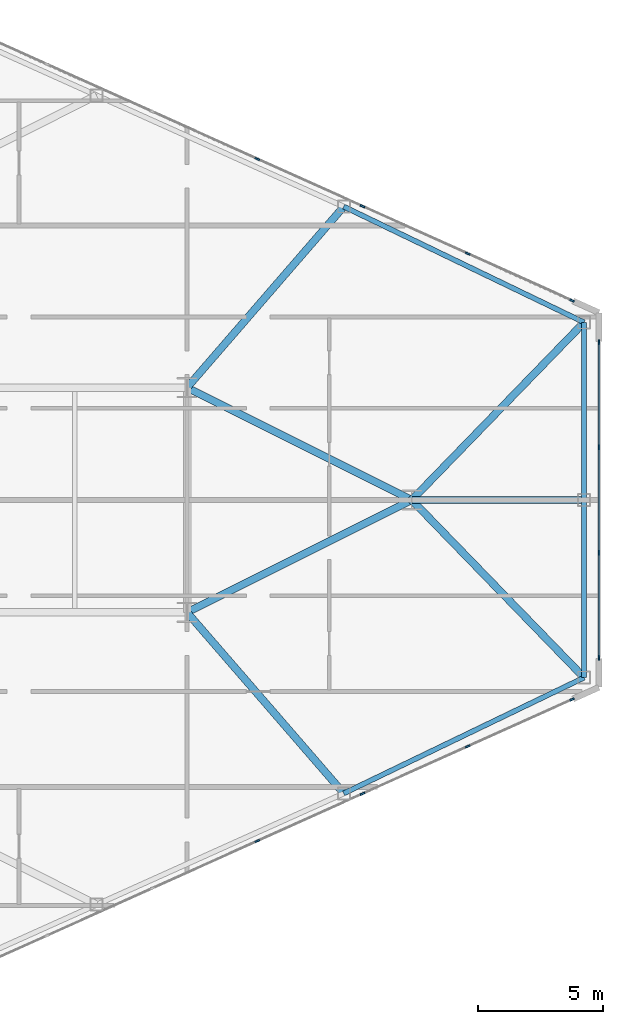
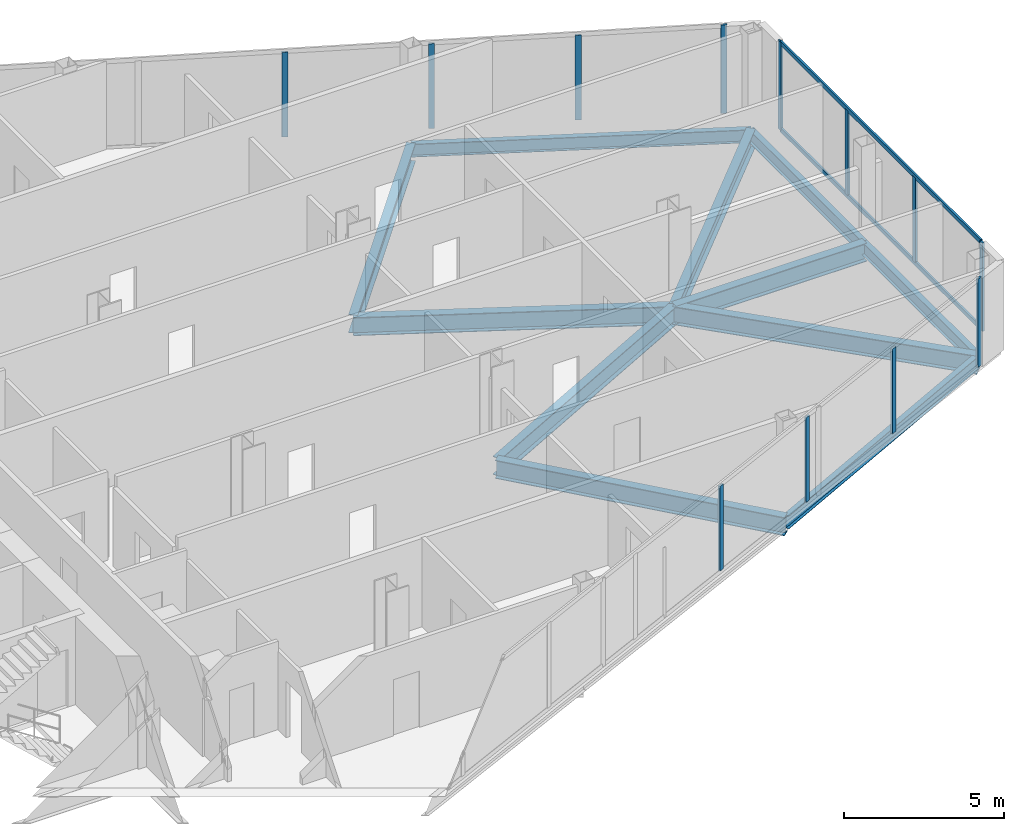
# One storey, part 16 of 27: 14 members, 11 beams, 3 elements without a shape of their own.
"""IFC4 building model written with IfcOpenShell, lengths in metres."""

from ifc_helpers import new_model, si_unit, direction, frame, origin, origin_2d, place, context, subcontext, project, spatial, rectangle, i_section, extrude, source, transform, mapped, material, layer, layer_set, material_profile, profile_set, type_object, type_shapes, element, aggregate, save


model = new_model("IFC4")

# Units and contexts
model_context = context("Model", 3, precision=1e-05, world=origin(), true_north=direction((0.0, 1.0)))
body_context = subcontext(model_context, "Body", "Model", "MODEL_VIEW")
ifc_project = project(units=[si_unit("LENGTHUNIT", "METRE"), si_unit("AREAUNIT", "SQUARE_METRE"), si_unit("VOLUMEUNIT", "CUBIC_METRE"), si_unit("PLANEANGLEUNIT", "RADIAN"), si_unit("MASSUNIT", "GRAM", prefix="KILO")], contexts=[model_context])

# Site, building, storey
site_placement = place(None, origin())
site = spatial("IfcSite", under=ifc_project, at=site_placement, CompositionType="ELEMENT")
building_placement = place(site_placement, origin())
building = spatial("IfcBuilding", under=site, at=building_placement, Name="Seokmaru Belvedere", CompositionType="ELEMENT")
storey_placement = place(building_placement, frame((0.0, 0.0, 80.10009765625)))
storey = spatial("IfcBuildingStorey", under=building, at=storey_placement, Name="L21", CompositionType="ELEMENT", Elevation=80.10009765625)

# Beams
ifc_material_1 = material(Name="Steel SM355 (355 MPa)", Category="steel")
ifc_material_profile_1 = material_profile(ifc_material_1, i_section(OverallWidth=0.300048828125, OverallDepth=0.699951171875, WebThickness=0.012939453125, FlangeThickness=0.02392578125, at=origin_2d()), Name="H-700x300x13x24")
ifc_profile_set_1 = profile_set([ifc_material_profile_1], Name="Steel SM355 (355 MPa)")
beam_type_1 = type_object("IfcBeamType", Name="Primary Floor Girder H-700", PredefinedType="BEAM", material=ifc_profile_set_1)
shared_shape_1 = source(origin(), body_context, "Body", "SweptSolid", [
    extrude(i_section(OverallWidth=0.300048828125, OverallDepth=0.699951171875, WebThickness=0.012939453125, FlangeThickness=0.02392578125, at=origin_2d()), origin(), (0.0, 0.0, 1.0), 10.062255859375),
])
for number, where, z_axis, x_axis, name in (
    (1, (54.5, -4.5, -0.570068359375), (0.894427191, 0.4472135955, 0.0), (-0.4472135955, 0.894427191, 0.0), "L21 E Apex Converging Girder 1"),
    (2, (54.5, 4.5, -0.570068359375), (0.894427191, -0.4472135955, 0.0), (0.4472135955, 0.894427191, 0.0), "L21 E Apex Converging Girder 2"),
):
    element("IfcBeam", number, at=place(storey_placement, frame(where, z_axis=z_axis, x_axis=x_axis)), inside=storey, type_object=beam_type_1, Name=name, PredefinedType="BEAM", context=body_context, shape_type="MappedRepresentation", body=[
        mapped(shared_shape_1, transform((0.0, 0.0, 0.0), scale=1.0)),
    ])
ifc_material_profile_2 = material_profile(ifc_material_1, i_section(OverallWidth=0.199951171875, OverallDepth=0.5, WebThickness=0.010009765625, FlangeThickness=0.01611328125, at=origin_2d()), Name="H-500x200x10x16")
ifc_profile_set_2 = profile_set([ifc_material_profile_2], Name="Steel SM355 (355 MPa)")
beam_type_2 = type_object("IfcBeamType", Name="Perimeter Spandrel Beam H-500", PredefinedType="SPANDREL", material=ifc_profile_set_2)
shared_shape_2 = source(origin(), body_context, "Body", "SweptSolid", [
    extrude(i_section(OverallWidth=0.199951171875, OverallDepth=0.5, WebThickness=0.010009765625, FlangeThickness=0.01611328125, at=origin_2d()), origin(), (0.0, 0.0, 1.0), 10.681396484375),
])
for number, where, z_axis, x_axis, name in (
    (3, (60.777587890625, -11.749267578125, -0.47021484375), (0.900846426616, 0.434137899352, 0.0), (-0.434137899352, 0.900846426616, 0.0), "L21 E Faceted Flank Spandrel S-4"),
    (4, (60.777587890625, 11.749267578125, -0.47021484375), (0.900846426616, -0.434137899352, 0.0), (0.434137899352, 0.900846426616, 0.0), "L21 E Faceted Flank Spandrel N-4"),
):
    element("IfcBeam", number, at=place(storey_placement, frame(where, z_axis=z_axis, x_axis=x_axis)), inside=storey, type_object=beam_type_2, Name=name, PredefinedType="SPANDREL", context=body_context, shape_type="MappedRepresentation", body=[
        mapped(shared_shape_2, transform((0.0, 0.0, 0.0), scale=1.0)),
    ])
shared_shape_3 = source(origin(), body_context, "Body", "SweptSolid", [
    extrude(i_section(OverallWidth=0.199951171875, OverallDepth=0.5, WebThickness=0.010009765625, FlangeThickness=0.01611328125, at=origin_2d()), origin(), (0.0, 0.0, 1.0), 7.112060546875),
])
type_shapes(beam_type_2, [shared_shape_2, shared_shape_3])
for number, where, z_axis, x_axis, name in (
    (5, (70.39990234375, -7.112060546875, -0.47021484375), (0.0, 1.0, 0.0), (-1.0, 0.0, 0.0), "L21 E Faceted Apex Spandrel S"),
    (6, (70.39990234375, 0.0, -0.47021484375), (0.0, 1.0, 0.0), (-1.0, 0.0, 0.0), "L21 E Faceted Apex Spandrel N"),
):
    element("IfcBeam", number, at=place(storey_placement, frame(where, z_axis=z_axis, x_axis=x_axis)), inside=storey, type_object=beam_type_2, Name=name, PredefinedType="SPANDREL", context=body_context, shape_type="MappedRepresentation", body=[
        mapped(shared_shape_3, transform((0.0, 0.0, 0.0), scale=1.0)),
    ])
shared_shape_4 = source(origin(), body_context, "Body", "SweptSolid", [
    extrude(i_section(OverallWidth=0.300048828125, OverallDepth=0.699951171875, WebThickness=0.012939453125, FlangeThickness=0.02392578125, at=origin_2d()), origin(), (0.0, 0.0, 1.0), 9.589599609375),
])
for number, where, z_axis, x_axis, name in (
    (7, (60.777587890625, -11.749267578125, -0.570068359375), (-0.654626140929, 0.755952786629, 0.0), (-0.755952786629, -0.654626140929, 0.0), "L21 E Flank Radial Floor Girder S-3"),
    (8, (60.777587890625, 11.749267578125, -0.570068359375), (-0.654626140929, -0.755952786629, 0.0), (0.755952786629, -0.654626140929, 0.0), "L21 E Flank Radial Floor Girder N-3"),
):
    element("IfcBeam", number, at=place(storey_placement, frame(where, z_axis=z_axis, x_axis=x_axis)), inside=storey, type_object=beam_type_1, Name=name, PredefinedType="BEAM", context=body_context, shape_type="MappedRepresentation", body=[
        mapped(shared_shape_4, transform((0.0, 0.0, 0.0), scale=1.0)),
    ])
shared_shape_5 = source(origin(), body_context, "Body", "SweptSolid", [
    extrude(i_section(OverallWidth=0.300048828125, OverallDepth=0.699951171875, WebThickness=0.012939453125, FlangeThickness=0.02392578125, at=origin_2d()), origin(), (0.0, 0.0, 1.0), 9.9091796875),
])
for number, where, z_axis, x_axis, name in (
    (9, (70.39990234375, -7.112060546875, -0.570068359375), (-0.6963205089, 0.717730972499, 0.0), (-0.717730972499, -0.6963205089, 0.0), "L21 E Apex Radial Floor Girder 1"),
    (10, (70.39990234375, 7.112060546875, -0.570068359375), (-0.6963205089, -0.717730972499, 0.0), (0.717730972499, -0.6963205089, 0.0), "L21 E Apex Radial Floor Girder 2"),
):
    element("IfcBeam", number, at=place(storey_placement, frame(where, z_axis=z_axis, x_axis=x_axis)), inside=storey, type_object=beam_type_1, Name=name, PredefinedType="BEAM", context=body_context, shape_type="MappedRepresentation", body=[
        mapped(shared_shape_5, transform((0.0, 0.0, 0.0), scale=1.0)),
    ])
shared_shape_6 = source(origin(), body_context, "Body", "SweptSolid", [
    extrude(i_section(OverallWidth=0.300048828125, OverallDepth=0.699951171875, WebThickness=0.012939453125, FlangeThickness=0.02392578125, at=origin_2d()), origin(), (0.0, 0.0, 1.0), 6.89990234375),
])
type_shapes(beam_type_1, [shared_shape_1, shared_shape_4, shared_shape_5, shared_shape_6])
beam_placement = place(storey_placement, frame((70.39990234375, 0.0, -0.570068359375), z_axis=(-1.0, 0.0, 0.0), x_axis=(0.0, -1.0, 0.0)))
element("IfcBeam", 11, at=beam_placement, inside=storey, type_object=beam_type_1, Name="L21 E Apex Center Radial Girder", PredefinedType="BEAM", context=body_context, shape_type="MappedRepresentation", body=[
    mapped(shared_shape_6, transform((0.0, 0.0, 0.0), scale=1.0)),
])

# Curtain wall, member
ifc_material_2 = material(Name="Bronze Triple Insulating Glass", Category="glass")
ifc_layer = layer(ifc_material_2, 0.195068359375)
ifc_layer_set = layer_set([ifc_layer], Name="Bronze Triple Insulating Glass")
curtain_wall_type = type_object("IfcCurtainWallType", Name="Lower-Mid Tapered Curtain Wall System CW-3", PredefinedType="NOTDEFINED", material=ifc_layer_set)
curtain_wall_1_placement = place(storey_placement, origin())
curtain_wall_1 = element("IfcCurtainWall", 12, at=curtain_wall_1_placement, inside=storey, type_object=curtain_wall_type, Name="L21 Curtain Wall EF1", PredefinedType="NOTDEFINED")
ifc_material_3 = material(Name="Anodised Bronze Aluminium", Category="aluminium")
ifc_material_profile_3 = material_profile(ifc_material_3, rectangle(XDim=0.070068359375, YDim=0.195068359375, at=origin_2d()), Name="CW-M-70x195")
ifc_profile_set_3 = profile_set([ifc_material_profile_3], Name="Anodised Bronze Aluminium")
member_type_1 = type_object("IfcMemberType", Name="Bronze Unitised Mullion 70x195", PredefinedType="MULLION", material=ifc_profile_set_3)
shared_shape_7 = source(origin(), body_context, "Body", "SweptSolid", [
    extrude(rectangle(XDim=0.070068359375, YDim=0.195068359375, at=origin_2d()), origin(), (0.0, 0.0, 1.0), 3.3798828125),
])
member_1_placement = place(storey_placement, frame((69.91943359375, -7.986328125, 0.0), z_axis=(0.0, 0.0, 1.0), x_axis=(-0.41036554765, 0.91192111353, 0.0)))
member_1 = element("IfcMember", 13, at=member_1_placement, type_object=member_type_1, Name="CW:L21:EF1 Mullion 10", PredefinedType="MULLION", context=body_context, shape_type="MappedRepresentation", body=[
    mapped(shared_shape_7, transform((0.0, 0.0, 0.0), scale=1.0)),
])

# Curtain wall, members
curtain_wall_2_placement = place(storey_placement, origin())
curtain_wall_2 = element("IfcCurtainWall", 14, at=curtain_wall_2_placement, inside=storey, type_object=curtain_wall_type, Name="L21 Curtain Wall EF2", PredefinedType="NOTDEFINED")
member_2_placement = place(storey_placement, frame((71.0, -6.31494140625, 0.0), z_axis=(0.0, 0.0, 1.0), x_axis=(-1.0, 0.0, 0.0)))
member_2 = element("IfcMember", 15, at=member_2_placement, type_object=member_type_1, Name="CW:L21:EF2 Mullion 1", PredefinedType="MULLION", context=body_context, shape_type="MappedRepresentation", body=[
    mapped(shared_shape_7, transform((0.0, 0.0, 0.0), scale=1.0)),
])
member_3_placement = place(storey_placement, frame((71.0, 6.31494140625, 0.0), z_axis=(0.0, 0.0, 1.0), x_axis=(-1.0, 0.0, 0.0)))
member_3 = element("IfcMember", 16, at=member_3_placement, type_object=member_type_1, Name="CW:L21:EF2 Mullion 4", PredefinedType="MULLION", context=body_context, shape_type="MappedRepresentation", body=[
    mapped(shared_shape_7, transform((0.0, 0.0, 0.0), scale=1.0)),
])

# Curtain wall, member
curtain_wall_3_placement = place(storey_placement, origin())
curtain_wall_3 = element("IfcCurtainWall", 17, at=curtain_wall_3_placement, inside=storey, type_object=curtain_wall_type, Name="L21 Curtain Wall EF3", PredefinedType="NOTDEFINED")
member_4_placement = place(storey_placement, frame((69.91943359375, 7.986328125, 0.0), z_axis=(0.0, 0.0, 1.0), x_axis=(-0.41036554765, -0.91192111353, 0.0)))
member_4 = element("IfcMember", 18, at=member_4_placement, type_object=member_type_1, Name="CW:L21:EF3 Mullion 1", PredefinedType="MULLION", context=body_context, shape_type="MappedRepresentation", body=[
    mapped(shared_shape_7, transform((0.0, 0.0, 0.0), scale=1.0)),
])

# Member
shared_shape_8 = source(origin(), body_context, "Body", "SweptSolid", [
    extrude(rectangle(XDim=0.070068359375, YDim=0.195068359375, at=origin_2d()), origin(), (0.0, 0.0, 1.0), 3.239990234375),
])
type_shapes(member_type_1, [shared_shape_7, shared_shape_8])
member_5_placement = place(storey_placement, frame((57.317138671875, -13.6572265625, 0.06982421875), z_axis=(0.0, 0.0, 1.0), x_axis=(-0.41036554765, 0.91192111353, 0.0)))
member_5 = element("IfcMember", 19, at=member_5_placement, type_object=member_type_1, Name="CW:L21:EF1 Mullion 7", PredefinedType="MULLION", context=body_context, shape_type="MappedRepresentation", body=[
    mapped(shared_shape_8, transform((0.0, 0.0, 0.0), scale=1.0)),
])

member_6_placement = place(storey_placement, frame((61.528564453125, -11.76220703125, 0.06982421875), z_axis=(0.0, 0.0, 1.0), x_axis=(-0.41036554765, 0.91192111353, 0.0)))
member_6 = element("IfcMember", 20, at=member_6_placement, type_object=member_type_1, Name="CW:L21:EF1 Mullion 8", PredefinedType="MULLION", context=body_context, shape_type="MappedRepresentation", body=[
    mapped(shared_shape_8, transform((0.0, 0.0, 0.0), scale=1.0)),
])

member_7_placement = place(storey_placement, frame((65.739990234375, -9.866943359375, 0.06982421875), z_axis=(0.0, 0.0, 1.0), x_axis=(-0.41036554765, 0.91192111353, 0.0)))
member_7 = element("IfcMember", 21, at=member_7_placement, type_object=member_type_1, Name="CW:L21:EF1 Mullion 9", PredefinedType="MULLION", context=body_context, shape_type="MappedRepresentation", body=[
    mapped(shared_shape_8, transform((0.0, 0.0, 0.0), scale=1.0)),
])

aggregate(curtain_wall_1, [member_5, member_6, member_7, member_1])

member_8_placement = place(storey_placement, frame((71.0, -2.11669921875, 0.06982421875), z_axis=(0.0, 0.0, 1.0), x_axis=(-1.0, 0.0, 0.0)))
member_8 = element("IfcMember", 22, at=member_8_placement, type_object=member_type_1, Name="CW:L21:EF2 Mullion 2", PredefinedType="MULLION", context=body_context, shape_type="MappedRepresentation", body=[
    mapped(shared_shape_8, transform((0.0, 0.0, 0.0), scale=1.0)),
])

member_9_placement = place(storey_placement, frame((71.0, 2.11669921875, 0.06982421875), z_axis=(0.0, 0.0, 1.0), x_axis=(-1.0, 0.0, 0.0)))
member_9 = element("IfcMember", 23, at=member_9_placement, type_object=member_type_1, Name="CW:L21:EF2 Mullion 3", PredefinedType="MULLION", context=body_context, shape_type="MappedRepresentation", body=[
    mapped(shared_shape_8, transform((0.0, 0.0, 0.0), scale=1.0)),
])

member_10_placement = place(storey_placement, frame((65.739990234375, 9.866943359375, 0.06982421875), z_axis=(0.0, 0.0, 1.0), x_axis=(-0.41036554765, -0.91192111353, 0.0)))
member_10 = element("IfcMember", 24, at=member_10_placement, type_object=member_type_1, Name="CW:L21:EF3 Mullion 2", PredefinedType="MULLION", context=body_context, shape_type="MappedRepresentation", body=[
    mapped(shared_shape_8, transform((0.0, 0.0, 0.0), scale=1.0)),
])

member_11_placement = place(storey_placement, frame((61.528564453125, 11.76220703125, 0.06982421875), z_axis=(0.0, 0.0, 1.0), x_axis=(-0.41036554765, -0.91192111353, 0.0)))
member_11 = element("IfcMember", 25, at=member_11_placement, type_object=member_type_1, Name="CW:L21:EF3 Mullion 3", PredefinedType="MULLION", context=body_context, shape_type="MappedRepresentation", body=[
    mapped(shared_shape_8, transform((0.0, 0.0, 0.0), scale=1.0)),
])

member_12_placement = place(storey_placement, frame((57.317138671875, 13.6572265625, 0.06982421875), z_axis=(0.0, 0.0, 1.0), x_axis=(-0.41036554765, -0.91192111353, 0.0)))
member_12 = element("IfcMember", 26, at=member_12_placement, type_object=member_type_1, Name="CW:L21:EF3 Mullion 4", PredefinedType="MULLION", context=body_context, shape_type="MappedRepresentation", body=[
    mapped(shared_shape_8, transform((0.0, 0.0, 0.0), scale=1.0)),
])

aggregate(curtain_wall_3, [member_4, member_10, member_11, member_12])

ifc_material_profile_4 = material_profile(ifc_material_3, rectangle(XDim=0.070068359375, YDim=0.1650390625, at=origin_2d()), Name="CW-T-70x165")
ifc_profile_set_4 = profile_set([ifc_material_profile_4], Name="Anodised Bronze Aluminium")
member_type_2 = type_object("IfcMemberType", Name="Bronze Unitised Transom 70x165", PredefinedType="USERDEFINED", material=ifc_profile_set_4)
shared_shape_9 = source(origin(), body_context, "Body", "SweptSolid", [
    extrude(rectangle(XDim=0.070068359375, YDim=0.1650390625, at=origin_2d()), origin(), (0.0, 0.0, 1.0), 12.56005859375),
])
type_shapes(member_type_2, [shared_shape_9])
member_13_placement = place(storey_placement, frame((71.0, -6.280029296875, 0.034912109375), z_axis=(0.0, 1.0, 0.0), x_axis=(-1.0, 0.0, 0.0)))
member_13 = element("IfcMember", 27, at=member_13_placement, type_object=member_type_2, Name="CW:L21:EF2 Continuous Transom 1", ObjectType="TRANSOM", PredefinedType="USERDEFINED", context=body_context, shape_type="MappedRepresentation", body=[
    mapped(shared_shape_9, transform((0.0, 0.0, 0.0), scale=1.0)),
])

member_14_placement = place(storey_placement, frame((71.0, -6.280029296875, 3.344970703125), z_axis=(0.0, 1.0, 0.0), x_axis=(-1.0, 0.0, 0.0)))
member_14 = element("IfcMember", 28, at=member_14_placement, type_object=member_type_2, Name="CW:L21:EF2 Continuous Transom 2", ObjectType="TRANSOM", PredefinedType="USERDEFINED", context=body_context, shape_type="MappedRepresentation", body=[
    mapped(shared_shape_9, transform((0.0, 0.0, 0.0), scale=1.0)),
])

aggregate(curtain_wall_2, [member_2, member_8, member_9, member_3, member_13, member_14])

save(model, "model.ifc")
